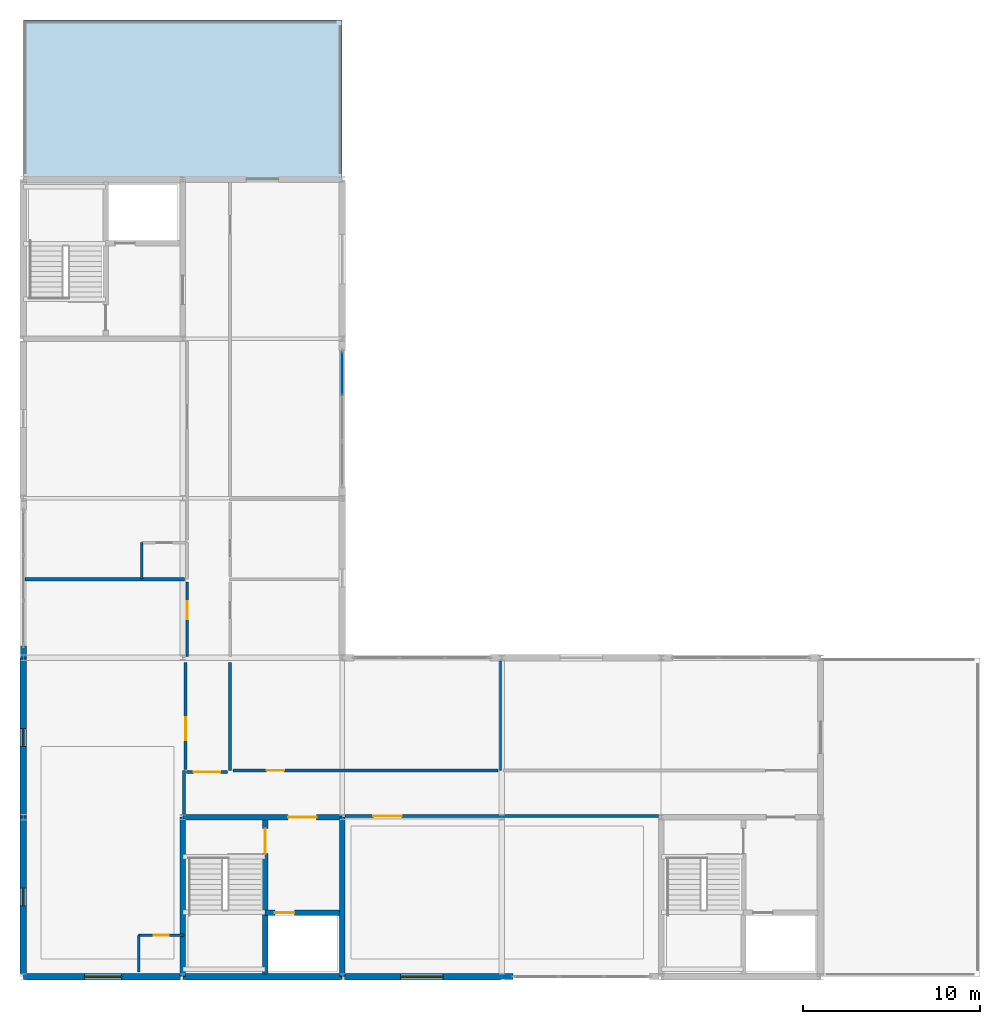
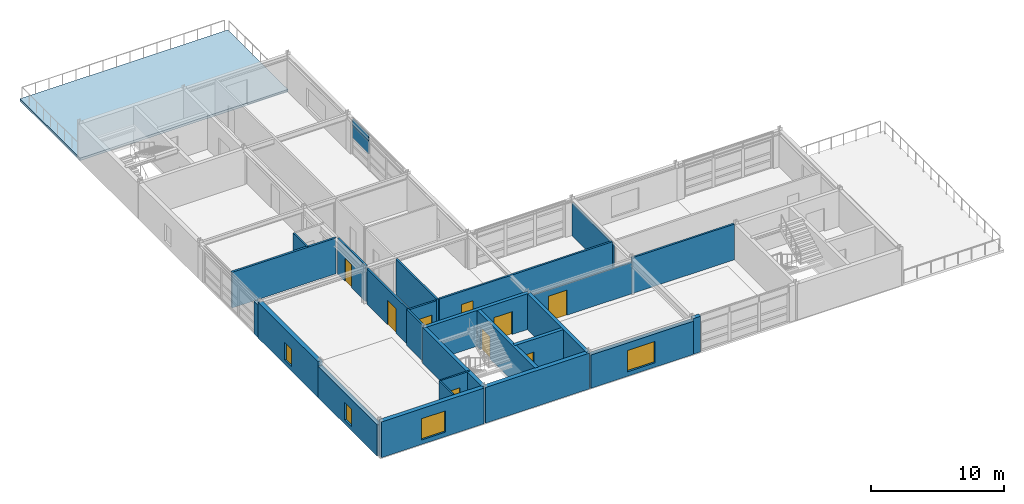
# One storey, part 8 of 11: 25 walls, 9 doors, 4 windows, 2 plates, 1 slab, 13 openings, 1 element without a shape of its own.
"""IFC4 building model written with IfcOpenShell, lengths in metres."""

from ifc_helpers import new_model, si_unit, direction, frame, frame_2d, origin, origin_2d, place, context, subcontext, project, spatial, polyline, rectangle, outline, extrude, material, layer, layer_set, type_object, element, fill, aggregate, save


model = new_model("IFC4")

# Units and contexts
model_context = context("Model", 3, precision=1e-05, world=origin(), true_north=direction((0.0, 1.0)))
body_context = subcontext(model_context, "Body", "Model", "MODEL_VIEW")
ifc_project = project(units=[si_unit("LENGTHUNIT", "METRE"), si_unit("AREAUNIT", "SQUARE_METRE"), si_unit("VOLUMEUNIT", "CUBIC_METRE"), si_unit("PLANEANGLEUNIT", "RADIAN"), si_unit("MASSUNIT", "GRAM", prefix="KILO")], contexts=[model_context])

# Site, building, storey
site_placement = place(None, origin())
site = spatial("IfcSite", under=ifc_project, at=site_placement, CompositionType="ELEMENT")
building_placement = place(site_placement, origin())
building = spatial("IfcBuilding", under=site, at=building_placement, Name="Palais des Congres Ocreval", CompositionType="ELEMENT")
storey_placement = place(building_placement, frame((0.0, 0.0, 26.8798828125)))
storey = spatial("IfcBuildingStorey", under=building, at=storey_placement, Name="L08", CompositionType="ELEMENT", Elevation=26.8798828125)

# Curtain wall, plate
ifc_material_1 = material(Name="Anodized bronze aluminium and low-E glass", Category="glass")
curtain_wall_type = type_object("IfcCurtainWallType", Name="Unitised Curtain Wall 7900x3280", PredefinedType="USERDEFINED", material=ifc_material_1)
curtain_wall_placement = place(storey_placement, origin())
curtain_wall = element("IfcCurtainWall", 1, at=curtain_wall_placement, inside=storey, type_object=curtain_wall_type, Name="Unitised Curtain Wall CW06 L08", ObjectType="UNITISED CURTAIN WALL", PredefinedType="USERDEFINED")
ifc_material_2 = material(Name="Low-E solar-control double glazing", Category="glass")
ifc_layer_1 = layer(ifc_material_2, 0.035888671875)
ifc_layer_set_1 = layer_set([ifc_layer_1], Name="Low-E Vision Glazing Panel 36 (Low-E solar-control double glazing)")
plate_type_1 = type_object("IfcPlateType", Name="Low-E Vision Glazing Panel 36", PredefinedType="CURTAIN_PANEL", material=ifc_layer_set_1)
plate_1_placement = place(storey_placement, frame((18.0, 34.0478515625, 1.47119140625), z_axis=(0.0, 0.0, 1.0), x_axis=(0.0, -1.0, 0.0)))
plate_1 = element("IfcPlate", 2, at=plate_1_placement, type_object=plate_type_1, Name="Vision Glazing Panel VP01", PredefinedType="CURTAIN_PANEL", context=body_context, shape_type="SweptSolid", body=[
    extrude(rectangle(XDim=2.4541015625, YDim=0.035888671875, at=origin_2d()), origin(), (0.0, 0.0, 1.0), 1.118896484375),
])

# Slab
ifc_material_3 = material(Name="Concrete C40/50", Category="concrete")
ifc_layer_2 = layer(ifc_material_3, 0.219970703125)
ifc_layer_set_2 = layer_set([ifc_layer_2], Name="Post-Tensioned Hotel Slab 220 Concrete C40/50")
slab_type = type_object("IfcSlabType", Name="Post-Tensioned Hotel Slab 220 Concrete C40/50", PredefinedType="FLOOR", material=ifc_layer_set_2)
slab_placement = place(storey_placement, frame((0.0, 0.0, -0.219970703125)))
element("IfcSlab", 3, at=slab_placement, inside=storey, type_object=slab_type, Name="Presidential Belvedere Terrace", PredefinedType="FLOOR", context=body_context, shape_type="SweptSolid", body=[
    extrude(outline(polyline([(0.0, 45.0), (0.0, 54.0), (18.0, 54.0), (18.0, 45.0), (0.0, 45.0)])), origin(), (0.0, 0.0, 1.0), 0.219970703125),
])

# Plate
ifc_material_4 = material(Name="Terracotta ceramic spandrel", Category="masonry")
ifc_layer_3 = layer(ifc_material_4, 0.080078125)
ifc_layer_set_3 = layer_set([ifc_layer_3], Name="Terracotta Insulated Spandrel Sheet 80 (Terracotta ceramic spandrel)")
plate_type_2 = type_object("IfcPlateType", Name="Terracotta Insulated Spandrel Sheet 80", PredefinedType="SHEET", material=ifc_layer_set_3)
plate_2_placement = place(storey_placement, frame((18.0, 34.0478515625, 2.650146484375), z_axis=(0.0, 0.0, 1.0), x_axis=(0.0, -1.0, 0.0)))
plate_2 = element("IfcPlate", 4, at=plate_2_placement, type_object=plate_type_2, Name="Spandrel Sheet SPN2", PredefinedType="SHEET", context=body_context, shape_type="SweptSolid", body=[
    extrude(rectangle(XDim=2.4541015625, YDim=0.080078125, at=origin_2d()), origin(), (0.0, 0.0, 1.0), 0.56005859375),
])

aggregate(curtain_wall, [plate_1, plate_2])

# Wall, opening, door
ifc_material_5 = material(Name="Moisture-resistant gypsum board")
ifc_layer_4 = layer(ifc_material_5, 0.139892578125)
ifc_layer_set_4 = layer_set([ifc_layer_4], Name="Bathroom Plumbing Chase Wall 140 Gypsum (Moisture-resistant gypsum board)")
wall_type_1 = type_object("IfcWallType", Name="Bathroom Plumbing Chase Wall 140 Gypsum", PredefinedType="PLUMBINGWALL", material=ifc_layer_set_4)
wall_1_placement = place(storey_placement, frame((6.5, 2.330078125, 0.0), z_axis=(0.0, 0.0, 1.0), x_axis=(1.0, 0.0, 0.0)))
wall_1 = element("IfcWall", 5, at=wall_1_placement, inside=storey, type_object=wall_type_1, Name="Bathroom Plumbing Wall PW03 L08", PredefinedType="PLUMBINGWALL", context=body_context, shape_type="SweptSolid", body=[
    extrude(rectangle(XDim=2.56005859375, YDim=0.139892578125, at=frame_2d((1.280029296875, 0.0))), origin(), (0.0, 0.0, 1.0), 3.27001953125),
])
opening_1_placement = place(wall_1_placement, frame((0.85498046875, 0.0, 0.0)))
opening_1 = element("IfcOpeningElement", 6, at=opening_1_placement, cuts=wall_1, Name="Opening D08", PredefinedType="OPENING", context=body_context, shape_type="SweptSolid", body=[
    extrude(rectangle(XDim=0.85009765625, YDim=2.0400390625, at=frame_2d((0.425048828125, 1.02001953125))), frame((0.0, 0.079833984375, 0.0), z_axis=(0.0, -1.0, 0.0), x_axis=(1.0, 0.0, 0.0)), (0.0, 0.0, 1.0), 0.159912109375),
])
ifc_material_6 = material(Name="Solid French oak", Category="wood")
door_type_1 = type_object("IfcDoorType", Name="En-Suite Bathroom Door 850x2040", OperationType="NOTDEFINED", PredefinedType="DOOR", material=ifc_material_6)
door_1_placement = place(opening_1_placement, origin())
door_1 = element("IfcDoor", 7, at=door_1_placement, inside=storey, type_object=door_type_1, Name="En-Suite Bathroom Door D08 L08", OperationType="SINGLE_SWING_RIGHT", OverallHeight=2.0400390625, OverallWidth=0.85009765625, PredefinedType="DOOR", context=body_context, shape_type="SweptSolid", body=[
    extrude(rectangle(XDim=0.85009765625, YDim=2.0400390625, at=frame_2d((0.425048828125, 1.02001953125))), frame((0.0, 0.02490234375, 0.0), z_axis=(0.0, -1.0, 0.0), x_axis=(1.0, 0.0, 0.0)), (0.0, 0.0, 1.0), 0.050048828125),
])
fill(opening_1, door_1)

# Walls
for number, where, z_axis, x_axis, name in (
    (8, (6.5, 0.27001953125, 0.0), (0.0, 0.0, 1.0), (0.0, 1.0, 0.0), "Bathroom Plumbing Wall PW03 L08"),
    (9, (6.679931640625, 22.43994140625, 0.0), (0.0, 0.0, 1.0), (0.0, 1.0, 0.0), "Bathroom Plumbing Wall PW03 L08"),
):
    element("IfcWall", number, at=place(storey_placement, frame(where, z_axis=z_axis, x_axis=x_axis)), inside=storey, type_object=wall_type_1, Name=name, PredefinedType="PLUMBINGWALL", context=body_context, shape_type="SweptSolid", body=[
        extrude(rectangle(XDim=2.06005859375, YDim=0.139892578125, at=frame_2d((1.030029296875, 0.0))), origin(), (0.0, 0.0, 1.0), 3.27001953125),
    ])
ifc_layer_5 = layer(ifc_material_3, 0.300048828125)
ifc_layer_set_5 = layer_set([ifc_layer_5], Name="Core Shear Wall 300 Concrete C40/50")
wall_type_2 = type_object("IfcWallType", Name="Core Shear Wall 300 Concrete C40/50", PredefinedType="SHEAR", material=ifc_layer_set_5)
wall_2_placement = place(storey_placement, frame((18.0, 0.0, 0.0), z_axis=(0.0, 0.0, 1.0), x_axis=(0.0, 1.0, 0.0)))
element("IfcWall", 10, at=wall_2_placement, inside=storey, type_object=wall_type_2, Name="Core Shear Wall SC01 L08 E", PredefinedType="SHEAR", context=body_context, shape_type="SweptSolid", body=[
    extrude(rectangle(XDim=9.0, YDim=0.300048828125, at=frame_2d((4.5, 0.0))), origin(), (0.0, 0.0, 1.0), 3.27001953125),
])

# Wall, opening, door
wall_3_placement = place(storey_placement, frame((9.0, 9.0, 0.0), z_axis=(0.0, 0.0, 1.0), x_axis=(1.0, 0.0, 0.0)))
wall_3 = element("IfcWall", 11, at=wall_3_placement, inside=storey, type_object=wall_type_2, Name="Core Shear Wall SC01 L08 N", PredefinedType="SHEAR", context=body_context, shape_type="SweptSolid", body=[
    extrude(rectangle(XDim=9.0, YDim=0.300048828125, at=frame_2d((4.5, 0.0))), origin(), (0.0, 0.0, 1.0), 3.27001953125),
])
opening_2_placement = place(wall_3_placement, frame((5.949951171875, 0.0, 0.0)))
opening_2 = element("IfcOpeningElement", 12, at=opening_2_placement, cuts=wall_3, Name="Opening D02", PredefinedType="OPENING", context=body_context, shape_type="SweptSolid", body=[
    extrude(rectangle(XDim=1.60009765625, YDim=2.10009765625, at=frame_2d((0.800048828125, 1.050048828125))), frame((0.0, 0.159912109375, 0.0), z_axis=(0.0, -1.0, 0.0), x_axis=(1.0, 0.0, 0.0)), (0.0, 0.0, 1.0), 0.320068359375),
])
ifc_material_7 = material(Name="Painted fire-rated steel", Category="steel")
door_type_2 = type_object("IfcDoorType", Name="Firefighting Lobby Rated Door 1600x2100", OperationType="NOTDEFINED", PredefinedType="DOOR", material=ifc_material_7)
door_2_placement = place(opening_2_placement, origin())
door_2 = element("IfcDoor", 13, at=door_2_placement, inside=storey, type_object=door_type_2, Name="Firefighting Lobby Entrance Door SC01 L08", OperationType="DOUBLE_DOOR_SINGLE_SWING", OverallHeight=2.10009765625, OverallWidth=1.60009765625, PredefinedType="DOOR", context=body_context, shape_type="SweptSolid", body=[
    extrude(rectangle(XDim=1.60009765625, YDim=2.10009765625, at=frame_2d((0.800048828125, 1.050048828125))), frame((0.0, 0.02490234375, 0.0), z_axis=(0.0, -1.0, 0.0), x_axis=(1.0, 0.0, 0.0)), (0.0, 0.0, 1.0), 0.050048828125),
])
fill(opening_2, door_2)

# Wall
wall_4_placement = place(storey_placement, frame((9.0, 0.0, 0.0), z_axis=(0.0, 0.0, 1.0), x_axis=(0.0, 1.0, 0.0)))
element("IfcWall", 14, at=wall_4_placement, inside=storey, type_object=wall_type_2, Name="Core Shear Wall SC01 L08 W", PredefinedType="SHEAR", context=body_context, shape_type="SweptSolid", body=[
    extrude(rectangle(XDim=9.0, YDim=0.300048828125, at=frame_2d((4.5, 0.0))), origin(), (0.0, 0.0, 1.0), 3.27001953125),
])

# Wall, opening, door
wall_5_placement = place(storey_placement, frame((13.64990234375, 0.14990234375, 0.0), z_axis=(0.0, 0.0, 1.0), x_axis=(0.0, 1.0, 0.0)))
wall_5 = element("IfcWall", 15, at=wall_5_placement, inside=storey, type_object=wall_type_2, Name="Core Spine Shear Wall SC01 L08", PredefinedType="SHEAR", context=body_context, shape_type="SweptSolid", body=[
    extrude(rectangle(XDim=8.7001953125, YDim=0.300048828125, at=frame_2d((4.35009765625, 0.0))), origin(), (0.0, 0.0, 1.0), 3.27001953125),
])
opening_3_placement = place(wall_5_placement, frame((6.800048828125, 0.0, 0.0)))
opening_3 = element("IfcOpeningElement", 16, at=opening_3_placement, cuts=wall_5, Name="Opening D03", PredefinedType="OPENING", context=body_context, shape_type="SweptSolid", body=[
    extrude(rectangle(XDim=1.39990234375, YDim=2.02001953125, at=frame_2d((0.699951171875, 1.010009765625))), frame((0.0, 0.159912109375, 0.0), z_axis=(0.0, -1.0, 0.0), x_axis=(1.0, 0.0, 0.0)), (0.0, 0.0, 1.0), 0.320068359375),
])
door_type_3 = type_object("IfcDoorType", Name="Core Lobby Rated Door 1400x2020", OperationType="NOTDEFINED", PredefinedType="DOOR", material=ifc_material_7)
door_3_placement = place(opening_3_placement, origin())
door_3 = element("IfcDoor", 17, at=door_3_placement, inside=storey, type_object=door_type_3, Name="Protected Exit Stair Door ST01 L08", OperationType="SINGLE_SWING_LEFT", OverallHeight=2.02001953125, OverallWidth=1.39990234375, PredefinedType="DOOR", context=body_context, shape_type="SweptSolid", body=[
    extrude(rectangle(XDim=1.39990234375, YDim=2.02001953125, at=frame_2d((0.699951171875, 1.010009765625))), frame((0.0, 0.02490234375, 0.0), z_axis=(0.0, -1.0, 0.0), x_axis=(1.0, 0.0, 0.0)), (0.0, 0.0, 1.0), 0.050048828125),
])
fill(opening_3, door_3)

wall_6_placement = place(storey_placement, frame((13.64990234375, 3.60009765625, 0.0), z_axis=(0.0, 0.0, 1.0), x_axis=(1.0, 0.0, 0.0)))
wall_6 = element("IfcWall", 18, at=wall_6_placement, inside=storey, type_object=wall_type_2, Name="Lift Shaft Front Wall SC01 L08", PredefinedType="SHEAR", context=body_context, shape_type="SweptSolid", body=[
    extrude(rectangle(XDim=4.2001953125, YDim=0.300048828125, at=frame_2d((2.10009765625, 0.0))), origin(), (0.0, 0.0, 1.0), 3.27001953125),
])
opening_4_placement = place(wall_6_placement, frame((0.550048828125, 0.0, 0.0)))
opening_4 = element("IfcOpeningElement", 19, at=opening_4_placement, cuts=wall_6, Name="Opening LD01", PredefinedType="OPENING", context=body_context, shape_type="SweptSolid", body=[
    extrude(rectangle(XDim=1.10009765625, YDim=2.10009765625, at=frame_2d((0.550048828125, 1.050048828125))), frame((0.0, 0.159912109375, 0.0), z_axis=(0.0, -1.0, 0.0), x_axis=(1.0, 0.0, 0.0)), (0.0, 0.0, 1.0), 0.320068359375),
])
ifc_material_8 = material(Name="Stainless steel", Category="steel")
door_type_4 = type_object("IfcDoorType", Name="Firefighting Lift Sliding Landing Door 1100x2100", OperationType="NOTDEFINED", PredefinedType="DOOR", material=ifc_material_8)
door_4_placement = place(opening_4_placement, origin())
door_4 = element("IfcDoor", 20, at=door_4_placement, inside=storey, type_object=door_type_4, Name="Lift Landing Sliding Door FF1 L08", OperationType="DOUBLE_DOOR_SLIDING", OverallHeight=2.10009765625, OverallWidth=1.10009765625, PredefinedType="DOOR", context=body_context, shape_type="SweptSolid", body=[
    extrude(rectangle(XDim=1.10009765625, YDim=2.10009765625, at=frame_2d((0.550048828125, 1.050048828125))), frame((0.0, 0.02490234375, 0.0), z_axis=(0.0, -1.0, 0.0), x_axis=(1.0, 0.0, 0.0)), (0.0, 0.0, 1.0), 0.050048828125),
])
fill(opening_4, door_4)

# Walls
ifc_material_9 = material(Name="Gypsum acoustic partition")
ifc_layer_6 = layer(ifc_material_9, 0.159912109375)
ifc_layer_set_6 = layer_set([ifc_layer_6], Name="Corridor Fire Partition 160 Gypsum (Gypsum acoustic partition)")
wall_type_3 = type_object("IfcWallType", Name="Corridor Fire Partition 160 Gypsum", PredefinedType="PARTITIONING", material=ifc_layer_set_6)
wall_7_placement = place(storey_placement, frame((9.06494140625, 9.155029296875, 0.0), z_axis=(0.0, 0.0, 1.0), x_axis=(0.0, 1.0, 0.0)))
element("IfcWall", 21, at=wall_7_placement, inside=storey, type_object=wall_type_3, Name="Interior Partition IW03 L08", PredefinedType="PARTITIONING", context=body_context, shape_type="SweptSolid", body=[
    extrude(rectangle(XDim=2.474853515625, YDim=0.159912109375, at=frame_2d((1.2373046875, 0.0))), origin(), (0.0, 0.0, 1.0), 3.27001953125),
])
wall_8_placement = place(storey_placement, frame((11.669921875, 11.639892578125, 0.0), z_axis=(0.0, 0.0, 1.0), x_axis=(0.0, 1.0, 0.0)))
element("IfcWall", 22, at=wall_8_placement, inside=storey, type_object=wall_type_3, Name="Interior Partition IW03 L08", PredefinedType="PARTITIONING", context=body_context, shape_type="SweptSolid", body=[
    extrude(rectangle(XDim=6.090087890625, YDim=0.159912109375, at=frame_2d((3.044921875, 0.0))), origin(), (0.0, 0.0, 1.0), 3.27001953125),
])

# Wall, opening, door
wall_9_placement = place(storey_placement, frame((9.219970703125, 11.550048828125, 0.0), z_axis=(0.0, 0.0, 1.0), x_axis=(1.0, 0.0, 0.0)))
wall_9 = element("IfcWall", 23, at=wall_9_placement, inside=storey, type_object=wall_type_3, Name="Interior Partition IW03 L08", PredefinedType="PARTITIONING", context=body_context, shape_type="SweptSolid", body=[
    extrude(rectangle(XDim=2.294921875, YDim=0.159912109375, at=frame_2d((1.1474609375, 0.0))), origin(), (0.0, 0.0, 1.0), 3.27001953125),
])
opening_5_placement = place(wall_9_placement, frame((0.3974609375, 0.0, 0.0)))
opening_5 = element("IfcOpeningElement", 24, at=opening_5_placement, cuts=wall_9, Name="Opening D04", PredefinedType="OPENING", context=body_context, shape_type="SweptSolid", body=[
    extrude(rectangle(XDim=1.5, YDim=2.10009765625, at=frame_2d((0.75, 1.050048828125))), frame((0.0, 0.08984375, 0.0), z_axis=(0.0, -1.0, 0.0), x_axis=(1.0, 0.0, 0.0)), (0.0, 0.0, 1.0), 0.179931640625),
])
ifc_material_10 = material(Name="Solid French oak fire door", Category="wood")
door_type_5 = type_object("IfcDoorType", Name="Corridor Compartment Double Door 1500x2100", OperationType="NOTDEFINED", PredefinedType="DOOR", material=ifc_material_10)
door_5_placement = place(opening_5_placement, origin())
door_5 = element("IfcDoor", 25, at=door_5_placement, inside=storey, type_object=door_type_5, Name="Interior Door D04 L08", OperationType="DOUBLE_DOOR_SINGLE_SWING", OverallHeight=2.10009765625, OverallWidth=1.5, PredefinedType="DOOR", context=body_context, shape_type="SweptSolid", body=[
    extrude(rectangle(XDim=1.5, YDim=2.10009765625, at=frame_2d((0.75, 1.050048828125))), frame((0.0, 0.02490234375, 0.0), z_axis=(0.0, -1.0, 0.0), x_axis=(1.0, 0.0, 0.0)), (0.0, 0.0, 1.0), 0.050048828125),
])
fill(opening_5, door_5)

wall_10_placement = place(storey_placement, frame((18.155029296875, 9.06494140625, 0.0), z_axis=(0.0, 0.0, 1.0), x_axis=(1.0, 0.0, 0.0)))
wall_10 = element("IfcWall", 26, at=wall_10_placement, inside=storey, type_object=wall_type_3, Name="Interior Partition IW03 L08", PredefinedType="PARTITIONING", context=body_context, shape_type="SweptSolid", body=[
    extrude(rectangle(XDim=8.824951171875, YDim=0.159912109375, at=frame_2d((4.41259765625, 0.0))), origin(), (0.0, 0.0, 1.0), 2.8701171875),
])
opening_6_placement = place(wall_10_placement, frame((1.60009765625, 0.0, 0.0)))
opening_6 = element("IfcOpeningElement", 27, at=opening_6_placement, cuts=wall_10, Name="Opening D12", PredefinedType="OPENING", context=body_context, shape_type="SweptSolid", body=[
    extrude(rectangle(XDim=1.60009765625, YDim=2.300048828125, at=frame_2d((0.800048828125, 1.14990234375))), frame((0.0, 0.08984375, 0.0), z_axis=(0.0, -1.0, 0.0), x_axis=(1.0, 0.0, 0.0)), (0.0, 0.0, 1.0), 0.179931640625),
])
door_type_6 = type_object("IfcDoorType", Name="Meeting Room Acoustic Double Door 1600x2300", OperationType="NOTDEFINED", PredefinedType="DOOR", material=ifc_material_6)
door_6_placement = place(opening_6_placement, origin())
door_6 = element("IfcDoor", 28, at=door_6_placement, inside=storey, type_object=door_type_6, Name="Interior Door D12 L08", OperationType="DOUBLE_DOOR_SINGLE_SWING", OverallHeight=2.300048828125, OverallWidth=1.60009765625, PredefinedType="DOOR", context=body_context, shape_type="SweptSolid", body=[
    extrude(rectangle(XDim=1.60009765625, YDim=2.300048828125, at=frame_2d((0.800048828125, 1.14990234375))), frame((0.0, 0.02490234375, 0.0), z_axis=(0.0, -1.0, 0.0), x_axis=(1.0, 0.0, 0.0)), (0.0, 0.0, 1.0), 0.050048828125),
])
fill(opening_6, door_6)

wall_11_placement = place(storey_placement, frame((11.824951171875, 11.635009765625, 0.0), z_axis=(0.0, 0.0, 1.0), x_axis=(1.0, 0.0, 0.0)))
wall_11 = element("IfcWall", 29, at=wall_11_placement, inside=storey, type_object=wall_type_3, Name="Interior Partition IW03 L08", PredefinedType="PARTITIONING", context=body_context, shape_type="SweptSolid", body=[
    extrude(rectangle(XDim=14.955078125, YDim=0.159912109375, at=frame_2d((7.4775390625, 0.0))), origin(), (0.0, 0.0, 1.0), 3.27001953125),
])
opening_7_placement = place(wall_11_placement, frame((1.89990234375, 0.0, 0.0)))
opening_7 = element("IfcOpeningElement", 30, at=opening_7_placement, cuts=wall_11, Name="Opening D10", PredefinedType="OPENING", context=body_context, shape_type="SweptSolid", body=[
    extrude(rectangle(XDim=1.0, YDim=2.10009765625, at=frame_2d((0.5, 1.050048828125))), frame((0.0, 0.08984375, 0.0), z_axis=(0.0, -1.0, 0.0), x_axis=(1.0, 0.0, 0.0)), (0.0, 0.0, 1.0), 0.179931640625),
])
ifc_material_11 = material(Name="Painted steel", Category="steel")
door_type_7 = type_object("IfcDoorType", Name="Service and Pantry Door 1000x2100", OperationType="NOTDEFINED", PredefinedType="DOOR", material=ifc_material_11)
door_7_placement = place(opening_7_placement, origin())
door_7 = element("IfcDoor", 31, at=door_7_placement, inside=storey, type_object=door_type_7, Name="Interior Door D10 L08", OperationType="SINGLE_SWING_RIGHT", OverallHeight=2.10009765625, OverallWidth=1.0, PredefinedType="DOOR", context=body_context, shape_type="SweptSolid", body=[
    extrude(rectangle(XDim=1.0, YDim=2.10009765625, at=frame_2d((0.5, 1.050048828125))), frame((0.0, 0.02490234375, 0.0), z_axis=(0.0, -1.0, 0.0), x_axis=(1.0, 0.0, 0.0)), (0.0, 0.0, 1.0), 0.050048828125),
])
fill(opening_7, door_7)

wall_12_placement = place(storey_placement, frame((9.159912109375, 11.705078125, 0.0), z_axis=(0.0, 0.0, 1.0), x_axis=(0.0, 1.0, 0.0)))
wall_12 = element("IfcWall", 32, at=wall_12_placement, inside=storey, type_object=wall_type_3, Name="Interior Partition IW03 L08", PredefinedType="PARTITIONING", context=body_context, shape_type="SweptSolid", body=[
    extrude(rectangle(XDim=6.02490234375, YDim=0.159912109375, at=frame_2d((3.012451171875, 0.0))), origin(), (0.0, 0.0, 1.0), 3.27001953125),
])
opening_8_placement = place(wall_12_placement, frame((1.639404296875, 0.0, 0.0)))
opening_8 = element("IfcOpeningElement", 33, at=opening_8_placement, cuts=wall_12, Name="Opening D07", PredefinedType="OPENING", context=body_context, shape_type="SweptSolid", body=[
    extrude(rectangle(XDim=1.300048828125, YDim=2.25, at=frame_2d((0.64990234375, 1.125))), frame((0.0, 0.08984375, 0.0), z_axis=(0.0, -1.0, 0.0), x_axis=(1.0, 0.0, 0.0)), (0.0, 0.0, 1.0), 0.179931640625),
])
door_type_8 = type_object("IfcDoorType", Name="Luxury Suite Double Door 1300x2250", OperationType="NOTDEFINED", PredefinedType="DOOR", material=ifc_material_6)
door_8_placement = place(opening_8_placement, origin())
door_8 = element("IfcDoor", 34, at=door_8_placement, inside=storey, type_object=door_type_8, Name="Interior Door D07 L08", OperationType="DOUBLE_DOOR_SINGLE_SWING", OverallHeight=2.25, OverallWidth=1.300048828125, PredefinedType="DOOR", context=body_context, shape_type="SweptSolid", body=[
    extrude(rectangle(XDim=1.300048828125, YDim=2.25, at=frame_2d((0.64990234375, 1.125))), frame((0.0, 0.02490234375, 0.0), z_axis=(0.0, -1.0, 0.0), x_axis=(1.0, 0.0, 0.0)), (0.0, 0.0, 1.0), 0.050048828125),
])
fill(opening_8, door_8)

wall_13_placement = place(storey_placement, frame((9.25, 18.070068359375, 0.0), z_axis=(0.0, 0.0, 1.0), x_axis=(0.0, 1.0, 0.0)))
wall_13 = element("IfcWall", 35, at=wall_13_placement, inside=storey, type_object=wall_type_3, Name="Interior Partition IW03 L08", PredefinedType="PARTITIONING", context=body_context, shape_type="SweptSolid", body=[
    extrude(rectangle(XDim=4.2099609375, YDim=0.159912109375, at=frame_2d((2.10498046875, 0.0))), origin(), (0.0, 0.0, 1.0), 3.27001953125),
])
opening_9_placement = place(wall_13_placement, frame((2.110107421875, 0.0, 0.0)))
opening_9 = element("IfcOpeningElement", 36, at=opening_9_placement, cuts=wall_13, Name="Opening D10", PredefinedType="OPENING", context=body_context, shape_type="SweptSolid", body=[
    extrude(rectangle(XDim=1.0, YDim=2.10009765625, at=frame_2d((0.5, 1.050048828125))), frame((0.0, 0.08984375, 0.0), z_axis=(0.0, -1.0, 0.0), x_axis=(1.0, 0.0, 0.0)), (0.0, 0.0, 1.0), 0.179931640625),
])
door_9_placement = place(opening_9_placement, origin())
door_9 = element("IfcDoor", 37, at=door_9_placement, inside=storey, type_object=door_type_7, Name="Interior Door D10 L08", OperationType="SINGLE_SWING_RIGHT", OverallHeight=2.10009765625, OverallWidth=1.0, PredefinedType="DOOR", context=body_context, shape_type="SweptSolid", body=[
    extrude(rectangle(XDim=1.0, YDim=2.10009765625, at=frame_2d((0.5, 1.050048828125))), frame((0.0, 0.02490234375, 0.0), z_axis=(0.0, -1.0, 0.0), x_axis=(1.0, 0.0, 0.0)), (0.0, 0.0, 1.0), 0.050048828125),
])
fill(opening_9, door_9)

# Walls
wall_14_placement = place(storey_placement, frame((26.97998046875, 9.06494140625, 0.0), z_axis=(0.0, 0.0, 1.0), x_axis=(1.0, 0.0, 0.0)))
element("IfcWall", 38, at=wall_14_placement, inside=storey, type_object=wall_type_3, Name="Interior Partition IW03 L08", PredefinedType="PARTITIONING", context=body_context, shape_type="SweptSolid", body=[
    extrude(rectangle(XDim=8.864990234375, YDim=0.159912109375, at=frame_2d((4.4326171875, 0.0))), origin(), (0.0, 0.0, 1.0), 3.27001953125),
])
ifc_layer_7 = layer(ifc_material_9, 0.179931640625)
ifc_layer_set_7 = layer_set([ifc_layer_7], Name="Hotel Inter-Room Acoustic Partition 180 Gypsum (Gypsum acoustic partition)")
wall_type_4 = type_object("IfcWallType", Name="Hotel Inter-Room Acoustic Partition 180 Gypsum", PredefinedType="PARTITIONING", material=ifc_layer_set_7)
wall_15_placement = place(storey_placement, frame((0.094970703125, 22.43505859375, 0.0), z_axis=(0.0, 0.0, 1.0), x_axis=(1.0, 0.0, 0.0)))
element("IfcWall", 39, at=wall_15_placement, inside=storey, type_object=wall_type_4, Name="Hotel Party Partition IW02 L08", PredefinedType="PARTITIONING", context=body_context, shape_type="SweptSolid", body=[
    extrude(rectangle(XDim=8.989990234375, YDim=0.179931640625, at=frame_2d((4.4951171875, 0.0))), origin(), (0.0, 0.0, 1.0), 3.27001953125),
])

# Wall, opening, window
ifc_layer_8 = layer(ifc_material_3, 0.3798828125)
ifc_layer_set_8 = layer_set([ifc_layer_8], Name="Lutetian Limestone Street Wall 380 Concrete C40/50")
wall_type_5 = type_object("IfcWallType", Name="Lutetian Limestone Street Wall 380 Concrete C40/50", PredefinedType="SOLIDWALL", material=ifc_layer_set_8)
wall_16_placement = place(storey_placement, frame((27.0, 0.0, 0.0), z_axis=(0.0, 0.0, 1.0), x_axis=(-1.0, 0.0, 0.0)))
wall_16 = element("IfcWall", 40, at=wall_16_placement, inside=storey, type_object=wall_type_5, Name="Exterior Wall EW03 L08", PredefinedType="SOLIDWALL", context=body_context, shape_type="SweptSolid", body=[
    extrude(rectangle(XDim=8.8701171875, YDim=0.3798828125, at=frame_2d((4.43505859375, 0.0))), origin(), (0.0, 0.0, 1.0), 3.0400390625),
])
opening_10_placement = place(wall_16_placement, frame((3.300048828125, 0.0, 0.39990234375)))
opening_10 = element("IfcOpeningElement", 41, at=opening_10_placement, cuts=wall_16, Name="Opening WN03", PredefinedType="OPENING", context=body_context, shape_type="SweptSolid", body=[
    extrude(rectangle(XDim=2.39990234375, YDim=1.949951171875, at=frame_2d((1.199951171875, 0.97509765625))), frame((0.0, 0.199951171875, 0.0), z_axis=(0.0, -1.0, 0.0), x_axis=(1.0, 0.0, 0.0)), (0.0, 0.0, 1.0), 0.39990234375),
])
window_type_1 = type_object("IfcWindowType", Name="Suite Panoramic Window 2400x1950", PartitioningType="SINGLE_PANEL", PredefinedType="WINDOW", material=ifc_material_1)
window_1_placement = place(opening_10_placement, origin())
window_1 = element("IfcWindow", 42, at=window_1_placement, inside=storey, type_object=window_type_1, Name="Facade Window WN03", OverallHeight=1.949951171875, OverallWidth=2.39990234375, PartitioningType="SINGLE_PANEL", PredefinedType="WINDOW", context=body_context, shape_type="SweptSolid", body=[
    extrude(rectangle(XDim=2.39990234375, YDim=1.949951171875, at=frame_2d((1.199951171875, 0.97509765625))), frame((0.0, 0.030029296875, 0.0), z_axis=(0.0, -1.0, 0.0), x_axis=(1.0, 0.0, 0.0)), (0.0, 0.0, 1.0), 0.06005859375),
])
fill(opening_10, window_1)

# Wall
wall_17_placement = place(storey_placement, frame((18.0, 0.0, 0.0), z_axis=(0.0, 0.0, 1.0), x_axis=(-1.0, 0.0, 0.0)))
element("IfcWall", 43, at=wall_17_placement, inside=storey, type_object=wall_type_5, Name="Core Perimeter Shear Wall EW03 SC01 L08", PredefinedType="SOLIDWALL", context=body_context, shape_type="SweptSolid", body=[
    extrude(rectangle(XDim=9.0, YDim=0.3798828125, at=frame_2d((4.5, 0.0))), origin(), (0.0, 0.0, 1.0), 3.27001953125),
])

# Wall, opening, window
wall_18_placement = place(storey_placement, frame((8.8701171875, 0.0, 0.0), z_axis=(0.0, 0.0, 1.0), x_axis=(-1.0, 0.0, 0.0)))
wall_18 = element("IfcWall", 44, at=wall_18_placement, inside=storey, type_object=wall_type_5, Name="Exterior Wall EW03 L08", PredefinedType="SOLIDWALL", context=body_context, shape_type="SweptSolid", body=[
    extrude(rectangle(XDim=8.8701171875, YDim=0.3798828125, at=frame_2d((4.43505859375, 0.0))), origin(), (0.0, 0.0, 1.0), 3.27001953125),
])
opening_11_placement = place(wall_18_placement, frame((3.320068359375, 0.0, 0.39990234375)))
opening_11 = element("IfcOpeningElement", 45, at=opening_11_placement, cuts=wall_18, Name="Opening WN05", PredefinedType="OPENING", context=body_context, shape_type="SweptSolid", body=[
    extrude(rectangle(XDim=2.10009765625, YDim=1.949951171875, at=frame_2d((1.050048828125, 0.97509765625))), frame((0.0, 0.199951171875, 0.0), z_axis=(0.0, -1.0, 0.0), x_axis=(1.0, 0.0, 0.0)), (0.0, 0.0, 1.0), 0.39990234375),
])
window_type_2 = type_object("IfcWindowType", Name="Junior Suite Window 2100x1950", PartitioningType="SINGLE_PANEL", PredefinedType="WINDOW", material=ifc_material_1)
window_2_placement = place(opening_11_placement, origin())
window_2 = element("IfcWindow", 46, at=window_2_placement, inside=storey, type_object=window_type_2, Name="Facade Window WN05", OverallHeight=1.949951171875, OverallWidth=2.10009765625, PartitioningType="SINGLE_PANEL", PredefinedType="WINDOW", context=body_context, shape_type="SweptSolid", body=[
    extrude(rectangle(XDim=2.10009765625, YDim=1.949951171875, at=frame_2d((1.050048828125, 0.97509765625))), frame((0.0, 0.030029296875, 0.0), z_axis=(0.0, -1.0, 0.0), x_axis=(1.0, 0.0, 0.0)), (0.0, 0.0, 1.0), 0.06005859375),
])
fill(opening_11, window_2)

wall_19_placement = place(storey_placement, frame((0.0, 0.155029296875, 0.0), z_axis=(0.0, 0.0, 1.0), x_axis=(0.0, 1.0, 0.0)))
wall_19 = element("IfcWall", 47, at=wall_19_placement, inside=storey, type_object=wall_type_5, Name="Exterior Wall EW03 L08", PredefinedType="SOLIDWALL", context=body_context, shape_type="SweptSolid", body=[
    extrude(rectangle(XDim=8.844970703125, YDim=0.3798828125, at=frame_2d((4.42236328125, 0.0))), origin(), (0.0, 0.0, 1.0), 2.8701171875),
])
opening_12_placement = place(wall_19_placement, frame((3.844970703125, 0.0, 0.39990234375)))
opening_12 = element("IfcOpeningElement", 48, at=opening_12_placement, cuts=wall_19, Name="Opening WN18", PredefinedType="OPENING", context=body_context, shape_type="SweptSolid", body=[
    extrude(rectangle(XDim=1.0, YDim=1.60009765625, at=frame_2d((0.5, 0.800048828125))), frame((0.0, 0.199951171875, 0.0), z_axis=(0.0, -1.0, 0.0), x_axis=(1.0, 0.0, 0.0)), (0.0, 0.0, 1.0), 0.39990234375),
])
window_type_3 = type_object("IfcWindowType", Name="Stair and Lobby Daylight Window 1000x1600", PartitioningType="SINGLE_PANEL", PredefinedType="WINDOW", material=ifc_material_1)
window_3_placement = place(opening_12_placement, origin())
window_3 = element("IfcWindow", 49, at=window_3_placement, inside=storey, type_object=window_type_3, Name="Facade Window WN18", OverallHeight=1.60009765625, OverallWidth=1.0, PartitioningType="SINGLE_PANEL", PredefinedType="WINDOW", context=body_context, shape_type="SweptSolid", body=[
    extrude(rectangle(XDim=1.0, YDim=1.60009765625, at=frame_2d((0.5, 0.800048828125))), frame((0.0, 0.030029296875, 0.0), z_axis=(0.0, -1.0, 0.0), x_axis=(1.0, 0.0, 0.0)), (0.0, 0.0, 1.0), 0.06005859375),
])
fill(opening_12, window_3)

wall_20_placement = place(storey_placement, frame((0.0, 9.0, 0.0), z_axis=(0.0, 0.0, 1.0), x_axis=(0.0, 1.0, 0.0)))
wall_20 = element("IfcWall", 50, at=wall_20_placement, inside=storey, type_object=wall_type_5, Name="Exterior Wall EW03 L08", PredefinedType="SOLIDWALL", context=body_context, shape_type="SweptSolid", body=[
    extrude(rectangle(XDim=9.0, YDim=0.3798828125, at=frame_2d((4.5, 0.0))), origin(), (0.0, 0.0, 1.0), 3.27001953125),
])
opening_13_placement = place(wall_20_placement, frame((4.0, 0.0, 0.39990234375)))
opening_13 = element("IfcOpeningElement", 51, at=opening_13_placement, cuts=wall_20, Name="Opening WN18", PredefinedType="OPENING", context=body_context, shape_type="SweptSolid", body=[
    extrude(rectangle(XDim=1.0, YDim=1.60009765625, at=frame_2d((0.5, 0.800048828125))), frame((0.0, 0.199951171875, 0.0), z_axis=(0.0, -1.0, 0.0), x_axis=(1.0, 0.0, 0.0)), (0.0, 0.0, 1.0), 0.39990234375),
])
window_4_placement = place(opening_13_placement, origin())
window_4 = element("IfcWindow", 52, at=window_4_placement, inside=storey, type_object=window_type_3, Name="Facade Window WN18", OverallHeight=1.60009765625, OverallWidth=1.0, PartitioningType="SINGLE_PANEL", PredefinedType="WINDOW", context=body_context, shape_type="SweptSolid", body=[
    extrude(rectangle(XDim=1.0, YDim=1.60009765625, at=frame_2d((0.5, 0.800048828125))), frame((0.0, 0.030029296875, 0.0), z_axis=(0.0, -1.0, 0.0), x_axis=(1.0, 0.0, 0.0)), (0.0, 0.0, 1.0), 0.06005859375),
])
fill(opening_13, window_4)

# Walls
ifc_layer_9 = layer(ifc_material_3, 0.340087890625)
ifc_layer_set_9 = layer_set([ifc_layer_9], Name="Ochre Mineral-Lime Courtyard Wall 340 Concrete C40/50")
wall_type_6 = type_object("IfcWallType", Name="Ochre Mineral-Lime Courtyard Wall 340 Concrete C40/50", PredefinedType="SOLIDWALL", material=ifc_layer_set_9)
wall_21_placement = place(storey_placement, frame((27.64990234375, 0.0, 0.0), z_axis=(0.0, 0.0, 1.0), x_axis=(-1.0, 0.0, 0.0)))
element("IfcWall", 53, at=wall_21_placement, inside=storey, type_object=wall_type_6, Name="Facade Pier EW04 L08", PredefinedType="SOLIDWALL", context=body_context, shape_type="SweptSolid", body=[
    extrude(rectangle(XDim=0.64990234375, YDim=0.340087890625, at=frame_2d((0.324951171875, 0.0))), origin(), (0.0, 0.0, 1.0), 3.27001953125),
])
wall_22_placement = place(storey_placement, frame((0.0, 18.0, 0.0), z_axis=(0.0, 0.0, 1.0), x_axis=(0.0, 1.0, 0.0)))
element("IfcWall", 54, at=wall_22_placement, inside=storey, type_object=wall_type_6, Name="Facade Pier EW04 L08", PredefinedType="SOLIDWALL", context=body_context, shape_type="SweptSolid", body=[
    extrude(rectangle(XDim=0.64990234375, YDim=0.340087890625, at=frame_2d((0.324951171875, 0.0))), origin(), (0.0, 0.0, 1.0), 2.97021484375),
])
ifc_material_12 = material(Name="Gypsum board partition")
ifc_layer_10 = layer(ifc_material_12, 0.1201171875)
ifc_layer_set_10 = layer_set([ifc_layer_10], Name="Suite Subdivision Partition 120 Gypsum (Gypsum board partition)")
wall_type_7 = type_object("IfcWallType", Name="Suite Subdivision Partition 120 Gypsum", PredefinedType="PARTITIONING", material=ifc_layer_set_10)
wall_23_placement = place(storey_placement, frame((26.93505859375, 11.639892578125, 0.0), z_axis=(0.0, 0.0, 1.0), x_axis=(0.0, 1.0, 0.0)))
element("IfcWall", 55, at=wall_23_placement, inside=storey, type_object=wall_type_7, Name="Interior Partition IW04 L08", PredefinedType="PARTITIONING", context=body_context, shape_type="SweptSolid", body=[
    extrude(rectangle(XDim=6.18505859375, YDim=0.1201171875, at=frame_2d((3.092529296875, 0.0))), origin(), (0.0, 0.0, 1.0), 2.980224609375),
])

save(model, "model.ifc")
